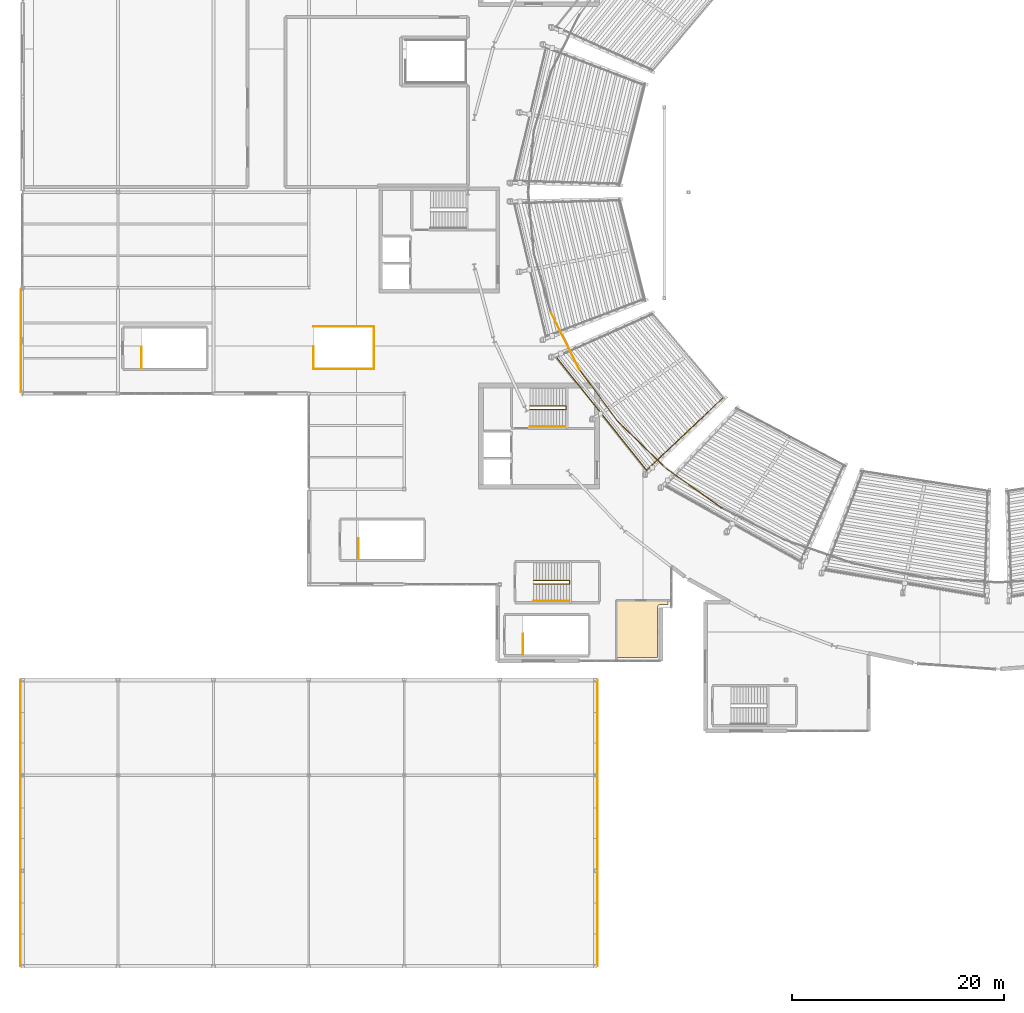
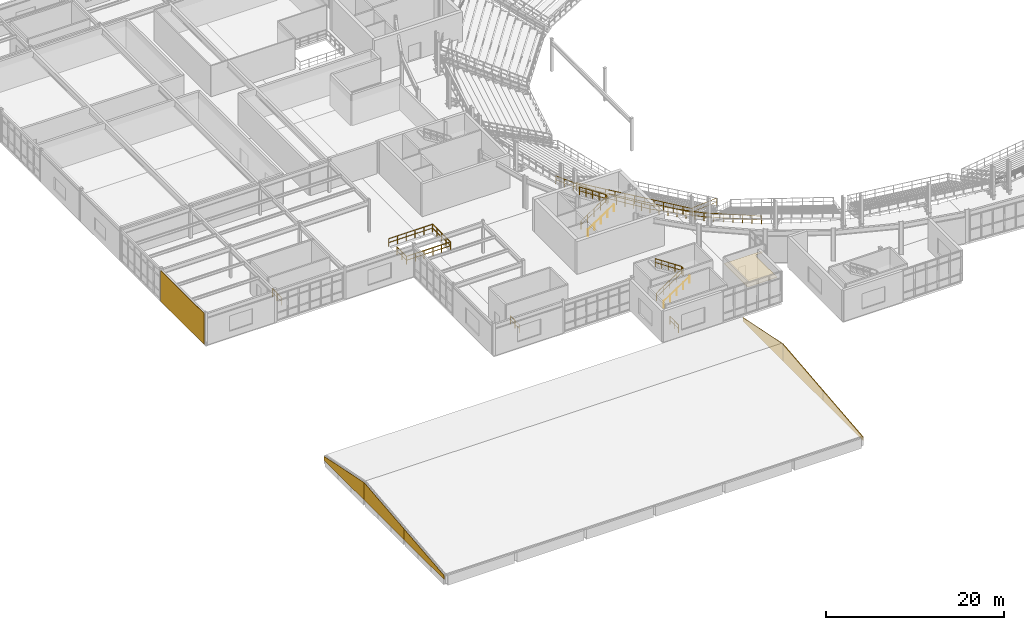
# One storey, part 71 of 81: 17 railings, 8 coverings.
"""IFC4 building model written with IfcOpenShell, lengths in metres."""

from ifc_helpers import new_model, si_unit, direction, frame, origin, origin_2d, place, context, subcontext, project, spatial, polyline, rectangle, circle, outline, extrude, material, layer, layer_set, type_object, element, save


model = new_model("IFC4")

# Units and contexts
model_context = context("Model", 3, precision=1e-05, world=origin(), true_north=direction((0.0, 1.0)))
body_context = subcontext(model_context, "Body", "Model", "MODEL_VIEW")
ifc_project = project(units=[si_unit("LENGTHUNIT", "METRE"), si_unit("AREAUNIT", "SQUARE_METRE"), si_unit("VOLUMEUNIT", "CUBIC_METRE"), si_unit("PLANEANGLEUNIT", "RADIAN"), si_unit("MASSUNIT", "GRAM", prefix="KILO")], contexts=[model_context])

# Site, building, storey
site_placement = place(None, origin())
site = spatial("IfcSite", under=ifc_project, at=site_placement, CompositionType="ELEMENT")
building_placement = place(site_placement, origin())
building = spatial("IfcBuilding", under=site, at=building_placement, Name="Glasvene Arena", CompositionType="ELEMENT")
storey_placement = place(building_placement, frame((0.0, 0.0, 15.0)))
storey = spatial("IfcBuildingStorey", under=building, at=storey_placement, Name="L03", CompositionType="ELEMENT", Elevation=15.0)

# Coverings
ifc_material_1 = material(Name="Perforated acoustic mineral ceiling tile")
ifc_layer_1 = layer(ifc_material_1, 0.0400390625)
ifc_layer_set_1 = layer_set([ifc_layer_1], Name="Perforated acoustic mineral ceiling tile")
covering_type_1 = type_object("IfcCoveringType", Name="COV-CEIL-AC", PredefinedType="CEILING", material=ifc_layer_set_1)
covering_1_placement = place(storey_placement, frame((59.3603515625, 33.14453125, 3.31005859375)))
element("IfcCovering", 1, at=covering_1_placement, inside=storey, type_object=covering_type_1, Name="Acoustic suspended ceiling Founders Hospitality Suite 01", PredefinedType="CEILING", context=body_context, shape_type="SweptSolid", body=[
    extrude(outline(polyline([(0.837646484375, 0.995361328125), (0.713134765625, 0.970703125), (0.602294921875, 0.8984375), (0.5263671875, 0.787109375), (0.501708984375, 0.691650390625), (0.499755859375, -4.004638671875), (-3.34033203125, -4.004638671875), (-3.34033203125, 1.33544921875), (1.499755859375, 1.33544921875), (1.499755859375, 0.995361328125), (0.837646484375, 0.995361328125)])), origin(), (0.0, 0.0, 1.0), 0.0400390625),
])
ifc_material_2 = material(Name="Coursed pale Irish limestone", Category="masonry")
ifc_layer_2 = layer(ifc_material_2, 0.050048828125)
ifc_layer_set_2 = layer_set([ifc_layer_2], Name="Coursed pale Irish limestone")
covering_type_2 = type_object("IfcCoveringType", Name="COV-CLAD-LIM", PredefinedType="CLADDING", material=ifc_layer_set_2)
covering_2_placement = place(storey_placement, frame((-0.139892578125, 58.989990234375, 0.0), z_axis=(0.0, 0.0, 1.0), x_axis=(0.0, 1.0, 0.0)))
element("IfcCovering", 2, at=covering_2_placement, inside=storey, type_object=covering_type_2, Name="Braced bay architectural cladding screen L03-003", PredefinedType="CLADDING", context=body_context, shape_type="SweptSolid", body=[
    extrude(rectangle(XDim=9.755859375, YDim=0.050048828125, at=origin_2d()), origin(), (0.0, 0.0, 1.0), 4.25),
])
covering_3_placement = place(storey_placement, frame((-0.22802734375, 0.0, 0.56005859375), z_axis=(-1.0, 0.0, 0.0), x_axis=(0.0, 0.0, 1.0)))
element("IfcCovering", 3, at=covering_3_placement, inside=storey, type_object=covering_type_2, Name="Wing gable architectural fascia cladding V2-007", PredefinedType="CLADDING", context=body_context, shape_type="SweptSolid", body=[
    extrude(outline(polyline([(0.0, 0.0), (0.52783203125, 0.0), (1.452880859375, 9.0), (0.0, 9.0), (0.0, 0.0)])), origin(), (0.0, 0.0, -1.0), 0.050048828125),
])
covering_4_placement = place(storey_placement, frame((-0.22802734375, 9.0, 0.56005859375), z_axis=(-1.0, 0.0, 0.0), x_axis=(0.0, 0.0, 1.0)))
element("IfcCovering", 4, at=covering_4_placement, inside=storey, type_object=covering_type_2, Name="Wing gable architectural fascia cladding V2-008", PredefinedType="CLADDING", context=body_context, shape_type="SweptSolid", body=[
    extrude(outline(polyline([(0.0, 0.0), (1.452880859375, 0.0), (2.3779296875, 9.0), (0.0, 9.0), (0.0, 0.0)])), origin(), (0.0, 0.0, -1.0), 0.050048828125),
])
covering_5_placement = place(storey_placement, frame((-0.22802734375, 18.0, 0.56005859375), z_axis=(-1.0, 0.0, 0.0), x_axis=(0.0, 0.0, 1.0)))
element("IfcCovering", 5, at=covering_5_placement, inside=storey, type_object=covering_type_2, Name="Wing gable architectural fascia cladding V2-009", PredefinedType="CLADDING", context=body_context, shape_type="SweptSolid", body=[
    extrude(outline(polyline([(0.0, 0.0), (2.3779296875, 0.0), (0.52783203125, 9.0), (0.0, 9.0), (0.0, 0.0)])), origin(), (0.0, 0.0, -1.0), 0.050048828125),
])
covering_6_placement = place(storey_placement, frame((54.22802734375, 0.0, 0.56005859375), z_axis=(1.0, 0.0, 0.0), x_axis=(0.0, 1.0, 0.0)))
element("IfcCovering", 6, at=covering_6_placement, inside=storey, type_object=covering_type_2, Name="Wing gable architectural fascia cladding V2-010", PredefinedType="CLADDING", context=body_context, shape_type="SweptSolid", body=[
    extrude(outline(polyline([(0.0, 0.0), (9.0, 0.0), (9.0, 1.452880859375), (0.0, 0.52783203125), (0.0, 0.0)])), origin(), (0.0, 0.0, -1.0), 0.050048828125),
])
covering_7_placement = place(storey_placement, frame((54.22802734375, 9.0, 0.56005859375), z_axis=(1.0, 0.0, 0.0), x_axis=(0.0, 1.0, 0.0)))
element("IfcCovering", 7, at=covering_7_placement, inside=storey, type_object=covering_type_2, Name="Wing gable architectural fascia cladding V2-011", PredefinedType="CLADDING", context=body_context, shape_type="SweptSolid", body=[
    extrude(outline(polyline([(0.0, 0.0), (9.0, 0.0), (9.0, 2.3779296875), (0.0, 1.452880859375), (0.0, 0.0)])), origin(), (0.0, 0.0, -1.0), 0.050048828125),
])
covering_8_placement = place(storey_placement, frame((54.22802734375, 18.0, 0.56005859375), z_axis=(1.0, 0.0, 0.0), x_axis=(0.0, 1.0, 0.0)))
element("IfcCovering", 8, at=covering_8_placement, inside=storey, type_object=covering_type_2, Name="Wing gable architectural fascia cladding V2-012", PredefinedType="CLADDING", context=body_context, shape_type="SweptSolid", body=[
    extrude(outline(polyline([(0.0, 0.0), (9.0, 0.0), (9.0, 0.52783203125), (0.0, 2.3779296875), (0.0, 0.0)])), origin(), (0.0, 0.0, -1.0), 0.050048828125),
])

# Railings
ifc_material_3 = material(Name="Brushed stainless steel", Category="steel")
railing_type_1 = type_object("IfcRailingType", Name="RL-GUARD-1100", PredefinedType="GUARDRAIL", material=ifc_material_3)
railing_1_placement = place(storey_placement, frame((47.85009765625, 52.510009765625, 0.0)))
element("IfcRailing", 9, at=railing_1_placement, inside=storey, type_object=railing_type_1, Name="Stair inner well continuous guardrail ST-03-L03", PredefinedType="GUARDRAIL", context=body_context, shape_type="SweptSolid", body=[
    extrude(circle(Radius=0.02392578125, at=origin_2d()), frame((0.0, 0.0, 1.076171875), z_axis=(0.833924910587, 0.0, 0.551877924456), x_axis=(0.0, 1.0, 0.0)), (0.0, 0.0, 1.0), 4.076904296875),
    extrude(circle(Radius=0.01611328125, at=origin_2d()), frame((0.0, 0.0, 0.550048828125), z_axis=(0.833924910587, 0.0, 0.551877924456), x_axis=(0.0, 1.0, 0.0)), (0.0, 0.0, 1.0), 4.076904296875),
    extrude(circle(Radius=0.02392578125, at=origin_2d()), frame((3.39990234375, 0.0, 3.326171875), z_axis=(0.0, 1.0, 0.0), x_axis=(-1.0, 0.0, 0.0)), (0.0, 0.0, 1.0), 0.330078125),
    extrude(circle(Radius=0.01611328125, at=origin_2d()), frame((3.39990234375, 0.0, 2.800048828125), z_axis=(0.0, 1.0, 0.0), x_axis=(-1.0, 0.0, 0.0)), (0.0, 0.0, 1.0), 0.330078125),
    extrude(circle(Radius=0.02392578125, at=origin_2d()), frame((3.39990234375, 0.330078125, 3.326171875), z_axis=(-0.833924910587, 0.0, 0.551877924456), x_axis=(0.0, -1.0, 0.0)), (0.0, 0.0, 1.0), 4.076904296875),
    extrude(circle(Radius=0.01611328125, at=origin_2d()), frame((3.39990234375, 0.330078125, 2.800048828125), z_axis=(-0.833924910587, 0.0, 0.551877924456), x_axis=(0.0, -1.0, 0.0)), (0.0, 0.0, 1.0), 4.076904296875),
    extrude(circle(Radius=0.02099609375, at=origin_2d()), origin(), (0.0, 0.0, 1.0), 1.052001953125),
    extrude(circle(Radius=0.02099609375, at=origin_2d()), frame((0.85009765625, 0.0, 0.5625)), (0.0, 0.0, 1.0), 1.052001953125),
    extrude(circle(Radius=0.02099609375, at=origin_2d()), frame((1.699951171875, 0.0, 1.125)), (0.0, 0.0, 1.0), 1.052001953125),
    extrude(circle(Radius=0.02099609375, at=origin_2d()), frame((2.5498046875, 0.0, 1.6875)), (0.0, 0.0, 1.0), 1.052001953125),
    extrude(circle(Radius=0.02099609375, at=origin_2d()), frame((3.39990234375, 0.0, 2.25)), (0.0, 0.0, 1.0), 1.052001953125),
    extrude(circle(Radius=0.02099609375, at=origin_2d()), frame((3.39990234375, 0.330078125, 2.25)), (0.0, 0.0, 1.0), 1.052001953125),
    extrude(circle(Radius=0.02099609375, at=origin_2d()), frame((2.5498046875, 0.330078125, 2.8125)), (0.0, 0.0, 1.0), 1.052001953125),
    extrude(circle(Radius=0.02099609375, at=origin_2d()), frame((1.699951171875, 0.330078125, 3.375)), (0.0, 0.0, 1.0), 1.052001953125),
    extrude(circle(Radius=0.02099609375, at=origin_2d()), frame((0.85009765625, 0.330078125, 3.9375)), (0.0, 0.0, 1.0), 1.052001953125),
    extrude(circle(Radius=0.02099609375, at=origin_2d()), frame((0.0, 0.330078125, 4.5)), (0.0, 0.0, 1.0), 1.052001953125),
])
railing_2_placement = place(storey_placement, frame((48.199951171875, 36.06005859375, 0.0)))
element("IfcRailing", 10, at=railing_2_placement, inside=storey, type_object=railing_type_1, Name="Stair inner well continuous guardrail ST-05-L03", PredefinedType="GUARDRAIL", context=body_context, shape_type="SweptSolid", body=[
    extrude(circle(Radius=0.02392578125, at=origin_2d()), frame((0.0, 0.0, 1.076171875), z_axis=(0.833943147616, 0.0, 0.551850366082), x_axis=(0.0, 1.0, 0.0)), (0.0, 0.0, 1.0), 4.0771484375),
    extrude(circle(Radius=0.01611328125, at=origin_2d()), frame((0.0, 0.0, 0.550048828125), z_axis=(0.833943147616, 0.0, 0.551850366082), x_axis=(0.0, 1.0, 0.0)), (0.0, 0.0, 1.0), 4.0771484375),
    extrude(circle(Radius=0.02392578125, at=origin_2d()), frame((3.400146484375, 0.0, 3.326171875), z_axis=(0.0, 1.0, 0.0), x_axis=(-1.0, 0.0, 0.0)), (0.0, 0.0, 1.0), 0.329833984375),
    extrude(circle(Radius=0.01611328125, at=origin_2d()), frame((3.400146484375, 0.0, 2.800048828125), z_axis=(0.0, 1.0, 0.0), x_axis=(-1.0, 0.0, 0.0)), (0.0, 0.0, 1.0), 0.329833984375),
    extrude(circle(Radius=0.02392578125, at=origin_2d()), frame((3.400146484375, 0.329833984375, 3.326171875), z_axis=(-0.833943147616, 0.0, 0.551850366082), x_axis=(0.0, -1.0, 0.0)), (0.0, 0.0, 1.0), 4.0771484375),
    extrude(circle(Radius=0.01611328125, at=origin_2d()), frame((3.400146484375, 0.329833984375, 2.800048828125), z_axis=(-0.833943147616, 0.0, 0.551850366082), x_axis=(0.0, -1.0, 0.0)), (0.0, 0.0, 1.0), 4.0771484375),
    extrude(circle(Radius=0.02099609375, at=origin_2d()), origin(), (0.0, 0.0, 1.0), 1.052001953125),
    extrude(circle(Radius=0.02099609375, at=origin_2d()), frame((0.85009765625, 0.0, 0.5625)), (0.0, 0.0, 1.0), 1.052001953125),
    extrude(circle(Radius=0.02099609375, at=origin_2d()), frame((1.7001953125, 0.0, 1.125)), (0.0, 0.0, 1.0), 1.052001953125),
    extrude(circle(Radius=0.02099609375, at=origin_2d()), frame((2.550048828125, 0.0, 1.6875)), (0.0, 0.0, 1.0), 1.052001953125),
    extrude(circle(Radius=0.02099609375, at=origin_2d()), frame((3.400146484375, 0.0, 2.25)), (0.0, 0.0, 1.0), 1.052001953125),
    extrude(circle(Radius=0.02099609375, at=origin_2d()), frame((3.400146484375, 0.329833984375, 2.25)), (0.0, 0.0, 1.0), 1.052001953125),
    extrude(circle(Radius=0.02099609375, at=origin_2d()), frame((2.550048828125, 0.329833984375, 2.8125)), (0.0, 0.0, 1.0), 1.052001953125),
    extrude(circle(Radius=0.02099609375, at=origin_2d()), frame((1.7001953125, 0.329833984375, 3.375)), (0.0, 0.0, 1.0), 1.052001953125),
    extrude(circle(Radius=0.02099609375, at=origin_2d()), frame((0.85009765625, 0.329833984375, 3.9375)), (0.0, 0.0, 1.0), 1.052001953125),
    extrude(circle(Radius=0.02099609375, at=origin_2d()), frame((0.0, 0.329833984375, 4.5)), (0.0, 0.0, 1.0), 1.052001953125),
])
railing_3_placement = place(storey_placement, frame((11.199951171875, 56.39990234375, 0.0)))
element("IfcRailing", 11, at=railing_3_placement, inside=storey, type_object=railing_type_1, Name="Stair top landing well guard ST-13", PredefinedType="GUARDRAIL", context=body_context, shape_type="SweptSolid", body=[
    extrude(circle(Radius=0.02392578125, at=origin_2d()), frame((0.0, 0.0, 1.076171875), z_axis=(0.0, 1.0, 0.0), x_axis=(-1.0, 0.0, 0.0)), (0.0, 0.0, 1.0), 2.0),
    extrude(circle(Radius=0.01611328125, at=origin_2d()), frame((0.0, 0.0, 0.550048828125), z_axis=(0.0, 1.0, 0.0), x_axis=(-1.0, 0.0, 0.0)), (0.0, 0.0, 1.0), 2.0),
    extrude(circle(Radius=0.02099609375, at=origin_2d()), origin(), (0.0, 0.0, 1.0), 1.052001953125),
    extrude(circle(Radius=0.02099609375, at=origin_2d()), frame((0.0, 1.0, 0.0)), (0.0, 0.0, 1.0), 1.052001953125),
    extrude(circle(Radius=0.02099609375, at=origin_2d()), frame((0.0, 2.0, 0.0)), (0.0, 0.0, 1.0), 1.052001953125),
])
for number, where, name in (
    (12, (31.699951171875, 38.39990234375, 0.0), "Stair top landing well guard ST-15"),
    (13, (47.199951171875, 29.39990234375, 0.0), "Stair top landing well guard ST-16"),
):
    element("IfcRailing", number, at=place(storey_placement, frame(where)), inside=storey, type_object=railing_type_1, Name=name, PredefinedType="GUARDRAIL", context=body_context, shape_type="SweptSolid", body=[
        extrude(circle(Radius=0.02392578125, at=origin_2d()), frame((0.0, 0.0, 1.076171875), z_axis=(0.0, 1.0, 0.0), x_axis=(-1.0, 0.0, 0.0)), (0.0, 0.0, 1.0), 1.9501953125),
        extrude(circle(Radius=0.01611328125, at=origin_2d()), frame((0.0, 0.0, 0.550048828125), z_axis=(0.0, 1.0, 0.0), x_axis=(-1.0, 0.0, 0.0)), (0.0, 0.0, 1.0), 1.9501953125),
        extrude(circle(Radius=0.02099609375, at=origin_2d()), origin(), (0.0, 0.0, 1.0), 1.052001953125),
        extrude(circle(Radius=0.02099609375, at=origin_2d()), frame((0.0, 0.97509765625, 0.0)), (0.0, 0.0, 1.0), 1.052001953125),
        extrude(circle(Radius=0.02099609375, at=origin_2d()), frame((0.0, 1.9501953125, 0.0)), (0.0, 0.0, 1.0), 1.052001953125),
    ])
railing_4_placement = place(storey_placement, frame((27.419921875, 58.449951171875, 0.0)))
element("IfcRailing", 14, at=railing_4_placement, inside=storey, type_object=railing_type_1, Name="Safety guardrail GD-VOM-05-TOP-001", PredefinedType="GUARDRAIL", context=body_context, shape_type="SweptSolid", body=[
    extrude(circle(Radius=0.02392578125, at=origin_2d()), frame((0.0, 0.0, 1.076171875), z_axis=(0.0, -1.0, 0.0), x_axis=(1.0, 0.0, 0.0)), (0.0, 0.0, 1.0), 2.1298828125),
    extrude(circle(Radius=0.01611328125, at=origin_2d()), frame((0.0, 0.0, 0.550048828125), z_axis=(0.0, -1.0, 0.0), x_axis=(1.0, 0.0, 0.0)), (0.0, 0.0, 1.0), 2.1298828125),
    extrude(circle(Radius=0.02099609375, at=origin_2d()), origin(), (0.0, 0.0, 1.0), 1.052001953125),
    extrude(circle(Radius=0.02099609375, at=origin_2d()), frame((0.0, -1.06494140625, 0.0)), (0.0, 0.0, 1.0), 1.052001953125),
    extrude(circle(Radius=0.02099609375, at=origin_2d()), frame((0.0, -2.1298828125, 0.0)), (0.0, 0.0, 1.0), 1.052001953125),
])
railing_5_placement = place(storey_placement, frame((27.419921875, 56.320068359375, 0.0)))
element("IfcRailing", 15, at=railing_5_placement, inside=storey, type_object=railing_type_1, Name="Safety guardrail GD-VOM-05-TOP-002", PredefinedType="GUARDRAIL", context=body_context, shape_type="SweptSolid", body=[
    extrude(circle(Radius=0.02392578125, at=origin_2d()), frame((0.0, 0.0, 1.076171875), z_axis=(1.0, 0.0, 0.0), x_axis=(0.0, 1.0, 0.0)), (0.0, 0.0, 1.0), 5.7001953125),
    extrude(circle(Radius=0.01611328125, at=origin_2d()), frame((0.0, 0.0, 0.550048828125), z_axis=(1.0, 0.0, 0.0), x_axis=(0.0, 1.0, 0.0)), (0.0, 0.0, 1.0), 5.7001953125),
    extrude(circle(Radius=0.02099609375, at=origin_2d()), origin(), (0.0, 0.0, 1.0), 1.052001953125),
    extrude(circle(Radius=0.02099609375, at=origin_2d()), frame((1.14013671875, 0.0, 0.0)), (0.0, 0.0, 1.0), 1.052001953125),
    extrude(circle(Radius=0.02099609375, at=origin_2d()), frame((2.280029296875, 0.0, 0.0)), (0.0, 0.0, 1.0), 1.052001953125),
    extrude(circle(Radius=0.02099609375, at=origin_2d()), frame((3.420166015625, 0.0, 0.0)), (0.0, 0.0, 1.0), 1.052001953125),
    extrude(circle(Radius=0.02099609375, at=origin_2d()), frame((4.56005859375, 0.0, 0.0)), (0.0, 0.0, 1.0), 1.052001953125),
    extrude(circle(Radius=0.02099609375, at=origin_2d()), frame((5.7001953125, 0.0, 0.0)), (0.0, 0.0, 1.0), 1.052001953125),
])
railing_6_placement = place(storey_placement, frame((33.1201171875, 56.320068359375, 0.0)))
element("IfcRailing", 16, at=railing_6_placement, inside=storey, type_object=railing_type_1, Name="Safety guardrail GD-VOM-05-TOP-003", PredefinedType="GUARDRAIL", context=body_context, shape_type="SweptSolid", body=[
    extrude(circle(Radius=0.02392578125, at=origin_2d()), frame((0.0, 0.0, 1.076171875), z_axis=(0.0, 1.0, 0.0), x_axis=(-1.0, 0.0, 0.0)), (0.0, 0.0, 1.0), 4.010009765625),
    extrude(circle(Radius=0.01611328125, at=origin_2d()), frame((0.0, 0.0, 0.550048828125), z_axis=(0.0, 1.0, 0.0), x_axis=(-1.0, 0.0, 0.0)), (0.0, 0.0, 1.0), 4.010009765625),
    extrude(circle(Radius=0.02099609375, at=origin_2d()), origin(), (0.0, 0.0, 1.0), 1.052001953125),
    extrude(circle(Radius=0.02099609375, at=origin_2d()), frame((0.0, 1.00244140625, 0.0)), (0.0, 0.0, 1.0), 1.052001953125),
    extrude(circle(Radius=0.02099609375, at=origin_2d()), frame((0.0, 2.0048828125, 0.0)), (0.0, 0.0, 1.0), 1.052001953125),
    extrude(circle(Radius=0.02099609375, at=origin_2d()), frame((0.0, 3.007568359375, 0.0)), (0.0, 0.0, 1.0), 1.052001953125),
    extrude(circle(Radius=0.02099609375, at=origin_2d()), frame((0.0, 4.010009765625, 0.0)), (0.0, 0.0, 1.0), 1.052001953125),
])
railing_7_placement = place(storey_placement, frame((33.1201171875, 60.330078125, 0.0)))
element("IfcRailing", 17, at=railing_7_placement, inside=storey, type_object=railing_type_1, Name="Safety guardrail GD-VOM-05-TOP-004", PredefinedType="GUARDRAIL", context=body_context, shape_type="SweptSolid", body=[
    extrude(circle(Radius=0.02392578125, at=origin_2d()), frame((0.0, 0.0, 1.076171875), z_axis=(-1.0, 0.0, 0.0), x_axis=(0.0, -1.0, 0.0)), (0.0, 0.0, 1.0), 5.7001953125),
    extrude(circle(Radius=0.01611328125, at=origin_2d()), frame((0.0, 0.0, 0.550048828125), z_axis=(-1.0, 0.0, 0.0), x_axis=(0.0, -1.0, 0.0)), (0.0, 0.0, 1.0), 5.7001953125),
    extrude(circle(Radius=0.02099609375, at=origin_2d()), origin(), (0.0, 0.0, 1.0), 1.052001953125),
    extrude(circle(Radius=0.02099609375, at=origin_2d()), frame((-1.14013671875, 0.0, 0.0)), (0.0, 0.0, 1.0), 1.052001953125),
    extrude(circle(Radius=0.02099609375, at=origin_2d()), frame((-2.280029296875, 0.0, 0.0)), (0.0, 0.0, 1.0), 1.052001953125),
    extrude(circle(Radius=0.02099609375, at=origin_2d()), frame((-3.420166015625, 0.0, 0.0)), (0.0, 0.0, 1.0), 1.052001953125),
    extrude(circle(Radius=0.02099609375, at=origin_2d()), frame((-4.56005859375, 0.0, 0.0)), (0.0, 0.0, 1.0), 1.052001953125),
    extrude(circle(Radius=0.02099609375, at=origin_2d()), frame((-5.7001953125, 0.0, 0.0)), (0.0, 0.0, 1.0), 1.052001953125),
])
railing_8_placement = place(storey_placement, frame((49.84912109375, 61.6220703125, 0.0)))
element("IfcRailing", 18, at=railing_8_placement, inside=storey, type_object=railing_type_1, Name="Safety guardrail GD-BWL-L03-023", PredefinedType="GUARDRAIL", context=body_context, shape_type="SweptSolid", body=[
    extrude(circle(Radius=0.02392578125, at=origin_2d()), frame((0.0, 0.0, 1.076171875), z_axis=(0.446198197372, -0.894934170016, 0.0), x_axis=(0.894934170016, 0.446198197372, 0.0)), (0.0, 0.0, 1.0), 5.964599609375),
    extrude(circle(Radius=0.01611328125, at=origin_2d()), frame((0.0, 0.0, 0.550048828125), z_axis=(0.446198197372, -0.894934170016, 0.0), x_axis=(0.894934170016, 0.446198197372, 0.0)), (0.0, 0.0, 1.0), 5.964599609375),
    extrude(circle(Radius=0.02099609375, at=origin_2d()), origin(), (0.0, 0.0, 1.0), 1.052001953125),
    extrude(circle(Radius=0.02099609375, at=origin_2d()), frame((0.5322265625, -1.067626953125, 0.0)), (0.0, 0.0, 1.0), 1.052001953125),
    extrude(circle(Radius=0.02099609375, at=origin_2d()), frame((1.064453125, -2.13525390625, 0.0)), (0.0, 0.0, 1.0), 1.052001953125),
    extrude(circle(Radius=0.02099609375, at=origin_2d()), frame((1.596923828125, -3.20263671875, 0.0)), (0.0, 0.0, 1.0), 1.052001953125),
    extrude(circle(Radius=0.02099609375, at=origin_2d()), frame((2.129150390625, -4.270263671875, 0.0)), (0.0, 0.0, 1.0), 1.052001953125),
    extrude(circle(Radius=0.02099609375, at=origin_2d()), frame((2.661376953125, -5.337890625, 0.0)), (0.0, 0.0, 1.0), 1.052001953125),
])
railing_9_placement = place(storey_placement, frame((52.510498046875, 56.2841796875, 0.0)))
element("IfcRailing", 19, at=railing_9_placement, inside=storey, type_object=railing_type_1, Name="Safety guardrail GD-BWL-L03-024", PredefinedType="GUARDRAIL", context=body_context, shape_type="SweptSolid", body=[
    extrude(circle(Radius=0.02392578125, at=origin_2d()), frame((0.0, 0.0, 1.076171875), z_axis=(0.593593483954, -0.804765043853, 0.0), x_axis=(0.804765043853, 0.593593483954, 0.0)), (0.0, 0.0, 1.0), 6.12158203125),
    extrude(circle(Radius=0.01611328125, at=origin_2d()), frame((0.0, 0.0, 0.550048828125), z_axis=(0.593593483954, -0.804765043853, 0.0), x_axis=(0.804765043853, 0.593593483954, 0.0)), (0.0, 0.0, 1.0), 6.12158203125),
    extrude(circle(Radius=0.02099609375, at=origin_2d()), origin(), (0.0, 0.0, 1.0), 1.052001953125),
    extrude(circle(Radius=0.02099609375, at=origin_2d()), frame((0.605712890625, -0.821044921875, 0.0)), (0.0, 0.0, 1.0), 1.052001953125),
    extrude(circle(Radius=0.02099609375, at=origin_2d()), frame((1.211181640625, -1.64208984375, 0.0)), (0.0, 0.0, 1.0), 1.052001953125),
    extrude(circle(Radius=0.02099609375, at=origin_2d()), frame((1.81689453125, -2.46337890625, 0.0)), (0.0, 0.0, 1.0), 1.052001953125),
    extrude(circle(Radius=0.02099609375, at=origin_2d()), frame((2.422607421875, -3.284423828125, 0.0)), (0.0, 0.0, 1.0), 1.052001953125),
    extrude(circle(Radius=0.02099609375, at=origin_2d()), frame((3.028076171875, -4.10546875, 0.0)), (0.0, 0.0, 1.0), 1.052001953125),
    extrude(circle(Radius=0.02099609375, at=origin_2d()), frame((3.6337890625, -4.926513671875, 0.0)), (0.0, 0.0, 1.0), 1.052001953125),
])
railing_10_placement = place(storey_placement, frame((56.144287109375, 51.357666015625, 0.0)))
element("IfcRailing", 20, at=railing_10_placement, inside=storey, type_object=railing_type_1, Name="Safety guardrail GD-BWL-L03-025", PredefinedType="GUARDRAIL", context=body_context, shape_type="SweptSolid", body=[
    extrude(circle(Radius=0.02392578125, at=origin_2d()), frame((0.0, 0.0, 1.076171875), z_axis=(0.716822755591, -0.697255431722, 0.0), x_axis=(0.697255431722, 0.716822755591, 0.0)), (0.0, 0.0, 1.0), 6.30078125),
    extrude(circle(Radius=0.01611328125, at=origin_2d()), frame((0.0, 0.0, 0.550048828125), z_axis=(0.716822755591, -0.697255431722, 0.0), x_axis=(0.697255431722, 0.716822755591, 0.0)), (0.0, 0.0, 1.0), 6.30078125),
    extrude(circle(Radius=0.02099609375, at=origin_2d()), origin(), (0.0, 0.0, 1.0), 1.052001953125),
    extrude(circle(Radius=0.02099609375, at=origin_2d()), frame((0.752685546875, -0.732177734375, 0.0)), (0.0, 0.0, 1.0), 1.052001953125),
    extrude(circle(Radius=0.02099609375, at=origin_2d()), frame((1.505615234375, -1.46435546875, 0.0)), (0.0, 0.0, 1.0), 1.052001953125),
    extrude(circle(Radius=0.02099609375, at=origin_2d()), frame((2.25830078125, -2.19677734375, 0.0)), (0.0, 0.0, 1.0), 1.052001953125),
    extrude(circle(Radius=0.02099609375, at=origin_2d()), frame((3.010986328125, -2.928955078125, 0.0)), (0.0, 0.0, 1.0), 1.052001953125),
    extrude(circle(Radius=0.02099609375, at=origin_2d()), frame((3.763916015625, -3.6611328125, 0.0)), (0.0, 0.0, 1.0), 1.052001953125),
    extrude(circle(Radius=0.02099609375, at=origin_2d()), frame((4.5166015625, -4.393310546875, 0.0)), (0.0, 0.0, 1.0), 1.052001953125),
])
railing_11_placement = place(storey_placement, frame((60.660888671875, 46.96435546875, 0.0)))
element("IfcRailing", 21, at=railing_11_placement, inside=storey, type_object=railing_type_1, Name="Safety guardrail GD-BWL-L03-026", PredefinedType="GUARDRAIL", context=body_context, shape_type="SweptSolid", body=[
    extrude(circle(Radius=0.02392578125, at=origin_2d()), frame((0.0, 0.0, 1.076171875), z_axis=(0.815561022815, -0.57867107934, 0.0), x_axis=(0.57867107934, 0.815561022815, 0.0)), (0.0, 0.0, 1.0), 6.484619140625),
    extrude(circle(Radius=0.01611328125, at=origin_2d()), frame((0.0, 0.0, 0.550048828125), z_axis=(0.815561022815, -0.57867107934, 0.0), x_axis=(0.57867107934, 0.815561022815, 0.0)), (0.0, 0.0, 1.0), 6.484619140625),
    extrude(circle(Radius=0.02099609375, at=origin_2d()), origin(), (0.0, 0.0, 1.0), 1.052001953125),
    extrude(circle(Radius=0.02099609375, at=origin_2d()), frame((0.88134765625, -0.62548828125, 0.0)), (0.0, 0.0, 1.0), 1.052001953125),
    extrude(circle(Radius=0.02099609375, at=origin_2d()), frame((1.762939453125, -1.250732421875, 0.0)), (0.0, 0.0, 1.0), 1.052001953125),
    extrude(circle(Radius=0.02099609375, at=origin_2d()), frame((2.644287109375, -1.876220703125, 0.0)), (0.0, 0.0, 1.0), 1.052001953125),
    extrude(circle(Radius=0.02099609375, at=origin_2d()), frame((3.525634765625, -2.501708984375, 0.0)), (0.0, 0.0, 1.0), 1.052001953125),
    extrude(circle(Radius=0.02099609375, at=origin_2d()), frame((4.4072265625, -3.126953125, 0.0)), (0.0, 0.0, 1.0), 1.052001953125),
    extrude(circle(Radius=0.02099609375, at=origin_2d()), frame((5.28857421875, -3.75244140625, 0.0)), (0.0, 0.0, 1.0), 1.052001953125),
])
railing_12_placement = place(storey_placement, frame((50.20458984375, 57.592529296875, 1.3798828125)))
element("IfcRailing", 22, at=railing_12_placement, inside=storey, type_object=railing_type_1, Name="Safety guardrail GD-TU-UR-10-001", PredefinedType="GUARDRAIL", context=body_context, shape_type="SweptSolid", body=[
    extrude(circle(Radius=0.02392578125, at=origin_2d()), frame((0.0, 0.0, 1.076171875), z_axis=(0.624430035096, -0.781080745679, 0.0), x_axis=(0.781080745679, 0.624430035096, 0.0)), (0.0, 0.0, 1.0), 14.045166015625),
    extrude(circle(Radius=0.01611328125, at=origin_2d()), frame((0.0, 0.0, 0.550048828125), z_axis=(0.624430035096, -0.781080745679, 0.0), x_axis=(0.781080745679, 0.624430035096, 0.0)), (0.0, 0.0, 1.0), 14.045166015625),
    extrude(circle(Radius=0.02099609375, at=origin_2d()), origin(), (0.0, 0.0, 1.0), 1.052001953125),
    extrude(circle(Radius=0.02099609375, at=origin_2d()), frame((0.73095703125, -0.914306640625, 0.0)), (0.0, 0.0, 1.0), 1.052001953125),
    extrude(circle(Radius=0.02099609375, at=origin_2d()), frame((1.461669921875, -1.828369140625, 0.0)), (0.0, 0.0, 1.0), 1.052001953125),
    extrude(circle(Radius=0.02099609375, at=origin_2d()), frame((2.192626953125, -2.74267578125, 0.0)), (0.0, 0.0, 1.0), 1.052001953125),
    extrude(circle(Radius=0.02099609375, at=origin_2d()), frame((2.92333984375, -3.65673828125, 0.0)), (0.0, 0.0, 1.0), 1.052001953125),
    extrude(circle(Radius=0.02099609375, at=origin_2d()), frame((3.654296875, -4.571044921875, 0.0)), (0.0, 0.0, 1.0), 1.052001953125),
    extrude(circle(Radius=0.02099609375, at=origin_2d()), frame((4.38525390625, -5.4853515625, 0.0)), (0.0, 0.0, 1.0), 1.052001953125),
    extrude(circle(Radius=0.02099609375, at=origin_2d()), frame((5.115966796875, -6.3994140625, 0.0)), (0.0, 0.0, 1.0), 1.052001953125),
    extrude(circle(Radius=0.02099609375, at=origin_2d()), frame((5.846923828125, -7.313720703125, 0.0)), (0.0, 0.0, 1.0), 1.052001953125),
    extrude(circle(Radius=0.02099609375, at=origin_2d()), frame((6.57763671875, -8.227783203125, 0.0)), (0.0, 0.0, 1.0), 1.052001953125),
    extrude(circle(Radius=0.02099609375, at=origin_2d()), frame((7.30859375, -9.14208984375, 0.0)), (0.0, 0.0, 1.0), 1.052001953125),
    extrude(circle(Radius=0.02099609375, at=origin_2d()), frame((8.039306640625, -10.05615234375, 0.0)), (0.0, 0.0, 1.0), 1.052001953125),
    extrude(circle(Radius=0.02099609375, at=origin_2d()), frame((8.770263671875, -10.970458984375, 0.0)), (0.0, 0.0, 1.0), 1.052001953125),
])
railing_13_placement = place(storey_placement, frame((66.03076171875, 53.5849609375, -3.89990234375)))
element("IfcRailing", 23, at=railing_13_placement, inside=storey, type_object=railing_type_1, Name="Upper tier radial aisle guard 10-2", PredefinedType="GUARDRAIL", context=body_context, shape_type="SweptSolid", body=[
    extrude(circle(Radius=0.02392578125, at=origin_2d()), frame((0.0, 0.0, 1.076171875), z_axis=(-0.640950746789, -0.606418263249, 0.470573086979), x_axis=(0.687267738972, -0.726404195313, 0.0)), (0.0, 0.0, 1.0), 11.219970703125),
    extrude(circle(Radius=0.01611328125, at=origin_2d()), frame((0.0, 0.0, 0.550048828125), z_axis=(-0.640950746789, -0.606418263249, 0.470573086979), x_axis=(0.687267738972, -0.726404195313, 0.0)), (0.0, 0.0, 1.0), 11.219970703125),
    extrude(circle(Radius=0.02099609375, at=origin_2d()), origin(), (0.0, 0.0, 1.0), 1.052001953125),
    extrude(circle(Radius=0.02099609375, at=origin_2d()), frame((-0.71923828125, -0.680419921875, 0.528076171875)), (0.0, 0.0, 1.0), 1.052001953125),
    extrude(circle(Radius=0.02099609375, at=origin_2d()), frame((-1.438232421875, -1.36083984375, 1.055908203125)), (0.0, 0.0, 1.0), 1.052001953125),
    extrude(circle(Radius=0.02099609375, at=origin_2d()), frame((-2.157470703125, -2.041259765625, 1.583984375)), (0.0, 0.0, 1.0), 1.052001953125),
    extrude(circle(Radius=0.02099609375, at=origin_2d()), frame((-2.87646484375, -2.7216796875, 2.11181640625)), (0.0, 0.0, 1.0), 1.052001953125),
    extrude(circle(Radius=0.02099609375, at=origin_2d()), frame((-3.595703125, -3.40185546875, 2.639892578125)), (0.0, 0.0, 1.0), 1.052001953125),
    extrude(circle(Radius=0.02099609375, at=origin_2d()), frame((-4.31494140625, -4.082275390625, 3.16796875)), (0.0, 0.0, 1.0), 1.052001953125),
    extrude(circle(Radius=0.02099609375, at=origin_2d()), frame((-5.033935546875, -4.7626953125, 3.69580078125)), (0.0, 0.0, 1.0), 1.052001953125),
    extrude(circle(Radius=0.02099609375, at=origin_2d()), frame((-5.753173828125, -5.443115234375, 4.223876953125)), (0.0, 0.0, 1.0), 1.052001953125),
    extrude(circle(Radius=0.02099609375, at=origin_2d()), frame((-6.47216796875, -6.12353515625, 4.751708984375)), (0.0, 0.0, 1.0), 1.052001953125),
    extrude(circle(Radius=0.02099609375, at=origin_2d()), frame((-7.19140625, -6.803955078125, 5.27978515625)), (0.0, 0.0, 1.0), 1.052001953125),
])
railing_type_2 = type_object("IfcRailingType", Name="RL-HAND-950", PredefinedType="HANDRAIL", material=ifc_material_3)
railing_14_placement = place(storey_placement, frame((47.85009765625, 50.909912109375, 0.0)))
element("IfcRailing", 24, at=railing_14_placement, inside=storey, type_object=railing_type_2, Name="Stair wall handrail ST-03-L03", PredefinedType="HANDRAIL", context=body_context, shape_type="SweptSolid", body=[
    extrude(circle(Radius=0.02392578125, at=origin_2d()), frame((0.0, 0.0, 0.92578125), z_axis=(0.830896709279, 0.0, 0.556426687452), x_axis=(0.0, 1.0, 0.0)), (0.0, 0.0, 1.0), 4.043701171875),
    extrude(circle(Radius=0.02099609375, at=origin_2d()), origin(), (0.0, 0.0, 1.0), 0.90185546875),
    extrude(circle(Radius=0.02099609375, at=origin_2d()), frame((0.83984375, 0.0, 0.5625)), (0.0, 0.0, 1.0), 0.90185546875),
    extrude(circle(Radius=0.02099609375, at=origin_2d()), frame((1.679931640625, 0.0, 1.125)), (0.0, 0.0, 1.0), 0.90185546875),
    extrude(circle(Radius=0.02099609375, at=origin_2d()), frame((2.52001953125, 0.0, 1.6875)), (0.0, 0.0, 1.0), 0.90185546875),
    extrude(circle(Radius=0.02099609375, at=origin_2d()), frame((3.35986328125, 0.0, 2.25)), (0.0, 0.0, 1.0), 0.90185546875),
])
railing_15_placement = place(storey_placement, frame((48.199951171875, 34.4599609375, 0.0)))
element("IfcRailing", 25, at=railing_15_placement, inside=storey, type_object=railing_type_2, Name="Stair wall handrail ST-05-L03", PredefinedType="HANDRAIL", context=body_context, shape_type="SweptSolid", body=[
    extrude(circle(Radius=0.02392578125, at=origin_2d()), frame((0.0, 0.0, 0.92578125), z_axis=(0.830915400975, 0.0, 0.556398774641), x_axis=(0.0, 1.0, 0.0)), (0.0, 0.0, 1.0), 4.0439453125),
    extrude(circle(Radius=0.02099609375, at=origin_2d()), origin(), (0.0, 0.0, 1.0), 0.90185546875),
    extrude(circle(Radius=0.02099609375, at=origin_2d()), frame((0.840087890625, 0.0, 0.5625)), (0.0, 0.0, 1.0), 0.90185546875),
    extrude(circle(Radius=0.02099609375, at=origin_2d()), frame((1.68017578125, 0.0, 1.125)), (0.0, 0.0, 1.0), 0.90185546875),
    extrude(circle(Radius=0.02099609375, at=origin_2d()), frame((2.52001953125, 0.0, 1.6875)), (0.0, 0.0, 1.0), 0.90185546875),
    extrude(circle(Radius=0.02099609375, at=origin_2d()), frame((3.360107421875, 0.0, 2.25)), (0.0, 0.0, 1.0), 0.90185546875),
])

save(model, "model.ifc")
